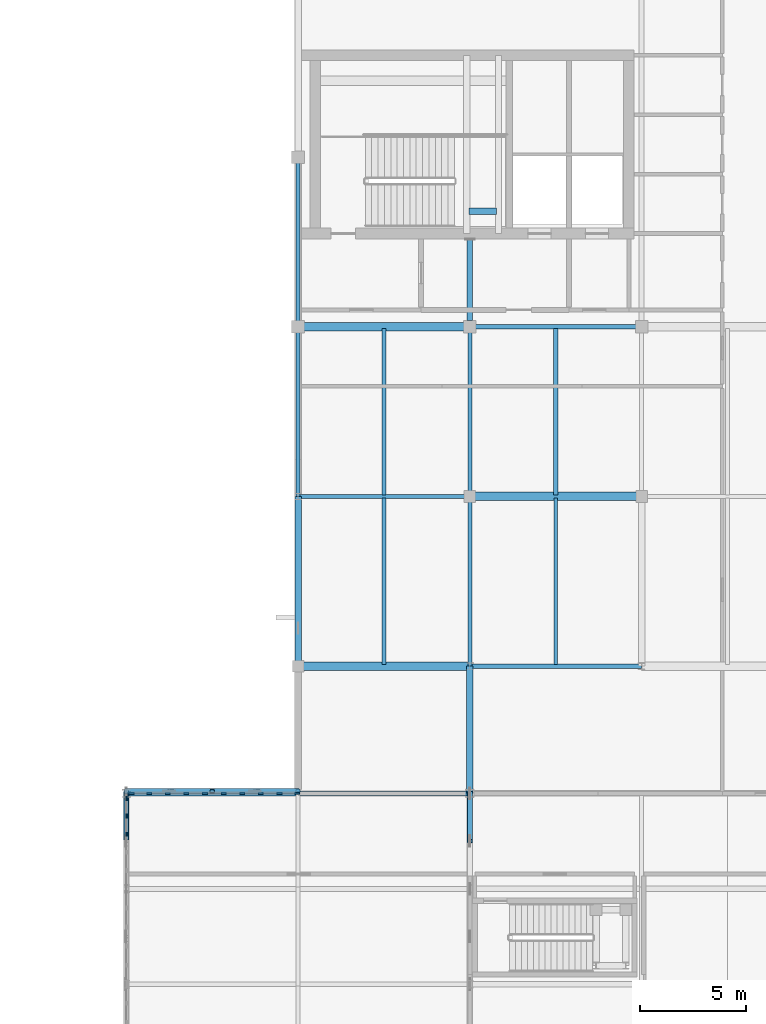
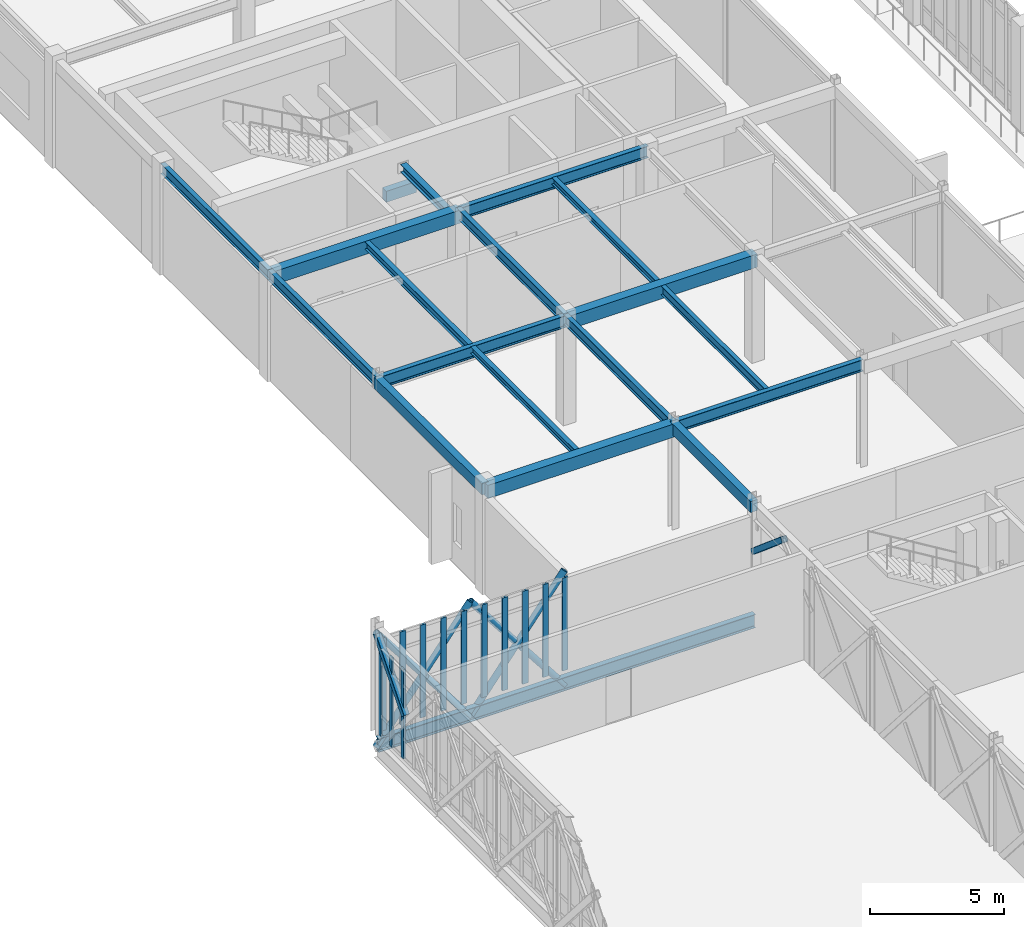
# One storey, part 21 of 107: 22 members, 18 beams, 2 elements without a shape of their own.
"""IFC4 building model written with IfcOpenShell, lengths in metres."""

from ifc_helpers import new_model, si_unit, direction, frame, origin, origin_2d, place, context, subcontext, project, spatial, rectangle, hollow_rectangle, hollow_circle, i_section, extrude, material, material_profile, profile_set, type_object, element, aggregate, save


model = new_model("IFC4")

# Units and contexts
model_context = context("Model", 3, precision=1e-05, world=origin(), true_north=direction((0.0, 1.0)))
body_context = subcontext(model_context, "Body", "Model", "MODEL_VIEW")
ifc_project = project(units=[si_unit("LENGTHUNIT", "METRE"), si_unit("AREAUNIT", "SQUARE_METRE"), si_unit("VOLUMEUNIT", "CUBIC_METRE"), si_unit("PLANEANGLEUNIT", "RADIAN"), si_unit("MASSUNIT", "GRAM", prefix="KILO")], contexts=[model_context])

# Site, building, storey
site_placement = place(None, origin())
site = spatial("IfcSite", under=ifc_project, at=site_placement, CompositionType="ELEMENT")
building_placement = place(site_placement, origin())
building = spatial("IfcBuilding", under=site, at=building_placement, Name="Tarnveldt Square Police Headquarters", CompositionType="ELEMENT")
storey_placement = place(building_placement, frame((0.0, 0.0, 14.699951171875)))
storey = spatial("IfcBuildingStorey", under=building, at=storey_placement, Name="L03", CompositionType="ELEMENT", Elevation=14.699951171875)

# Beams
ifc_material_1 = material(Name="Concrete 40 MPa", Category="concrete")
ifc_material_profile_1 = material_profile(ifc_material_1, rectangle(XDim=0.300048828125, YDim=0.5, at=origin_2d()), Name="RC-B300x500")
ifc_profile_set_1 = profile_set([ifc_material_profile_1], Name="Concrete 40 MPa")
beam_type_1 = type_object("IfcBeamType", Name="BM-RC300x500", PredefinedType="BEAM", material=ifc_profile_set_1)
beam_1_placement = place(storey_placement, frame((24.25, 61.449951171875, 2.10009765625), z_axis=(1.0, 0.0, 0.0), x_axis=(0.0, 1.0, 0.0)))
element("IfcBeam", 1, at=beam_1_placement, inside=storey, type_object=beam_type_1, Name="ST1 L03 Half-Landing Support Beam 2", PredefinedType="BEAM", context=body_context, shape_type="SweptSolid", body=[
    extrude(rectangle(XDim=0.300048828125, YDim=0.5, at=origin_2d()), origin(), (0.0, 0.0, 1.0), 1.300048828125),
])
beam_2_placement = place(storey_placement, frame((16.199951171875, 40.0, 4.590087890625), z_axis=(0.0, 1.0, 0.0), x_axis=(-1.0, 0.0, 0.0)))
element("IfcBeam", 2, at=beam_2_placement, inside=storey, type_object=beam_type_1, Name="L04 Grid Girder Y-0862", PredefinedType="BEAM", context=body_context, shape_type="SweptSolid", body=[
    extrude(rectangle(XDim=0.300048828125, YDim=0.5, at=origin_2d()), origin(), (0.0, 0.0, 1.0), 8.0),
])
beam_3_placement = place(storey_placement, frame((24.300048828125, 34.0, 4.590087890625), z_axis=(0.0, 1.0, 0.0), x_axis=(-1.0, 0.0, 0.0)))
element("IfcBeam", 3, at=beam_3_placement, inside=storey, type_object=beam_type_1, Name="L04 Grid Girder Y-0871", PredefinedType="BEAM", context=body_context, shape_type="SweptSolid", body=[
    extrude(rectangle(XDim=0.300048828125, YDim=0.5, at=origin_2d()), origin(), (0.0, 0.0, 1.0), 6.0),
])
ifc_material_profile_2 = material_profile(ifc_material_1, rectangle(XDim=0.39990234375, YDim=0.60009765625, at=origin_2d()), Name="RC-B400x600")
ifc_profile_set_2 = profile_set([ifc_material_profile_2], Name="Concrete 40 MPa")
beam_type_2 = type_object("IfcBeamType", Name="BM-RC400x600", PredefinedType="BEAM", material=ifc_profile_set_2)
beam_4_placement = place(storey_placement, frame((16.199951171875, 40.0, 4.5400390625), z_axis=(1.0, 0.0, 0.0), x_axis=(0.0, 1.0, 0.0)))
element("IfcBeam", 4, at=beam_4_placement, inside=storey, type_object=beam_type_2, Name="L04 Grid Girder X-0806", PredefinedType="BEAM", context=body_context, shape_type="SweptSolid", body=[
    extrude(rectangle(XDim=0.39990234375, YDim=0.60009765625, at=origin_2d()), origin(), (0.0, 0.0, 1.0), 8.10009765625),
])
beam_5_placement = place(storey_placement, frame((24.300048828125, 48.0, 4.5400390625), z_axis=(1.0, 0.0, 0.0), x_axis=(0.0, 1.0, 0.0)))
element("IfcBeam", 5, at=beam_5_placement, inside=storey, type_object=beam_type_2, Name="L04 Grid Girder X-0810", PredefinedType="BEAM", context=body_context, shape_type="SweptSolid", body=[
    extrude(rectangle(XDim=0.39990234375, YDim=0.60009765625, at=origin_2d()), origin(), (0.0, 0.0, 1.0), 8.099853515625),
])
beam_6_placement = place(storey_placement, frame((16.199951171875, 56.0, 4.5400390625), z_axis=(1.0, 0.0, 0.0), x_axis=(0.0, 1.0, 0.0)))
element("IfcBeam", 6, at=beam_6_placement, inside=storey, type_object=beam_type_2, Name="L04 Grid Girder X-0812", PredefinedType="BEAM", context=body_context, shape_type="SweptSolid", body=[
    extrude(rectangle(XDim=0.39990234375, YDim=0.60009765625, at=origin_2d()), origin(), (0.0, 0.0, 1.0), 8.10009765625),
])
ifc_material_2 = material(Name="Steel 350W", Category="steel")
ifc_material_profile_3 = material_profile(ifc_material_2, i_section(OverallWidth=0.202880859375, OverallDepth=0.302978515625, WebThickness=0.007568359375, FlangeThickness=0.01318359375, FilletRadius=0.014892578125, at=origin_2d()), Name="W310x60")
ifc_profile_set_3 = profile_set([ifc_material_profile_3], Name="Steel 350W")
beam_type_3 = type_object("IfcBeamType", Name="BM-W310x60", PredefinedType="JOIST", material=ifc_profile_set_3)
for number, where, z_axis, x_axis, name in (
    (7, (20.25, 40.080078125, 4.6884765625), (0.0, 1.0, 0.0), (-1.0, 0.0, 0.0), "L04 Secondary Floor Joist 0180"),
    (8, (28.35009765625, 48.080078125, 4.6884765625), (0.0, 1.0, 0.0), (-1.0, 0.0, 0.0), "L04 Secondary Floor Joist 0184"),
):
    element("IfcBeam", number, at=place(storey_placement, frame(where, z_axis=z_axis, x_axis=x_axis)), inside=storey, type_object=beam_type_3, Name=name, PredefinedType="JOIST", context=body_context, shape_type="SweptSolid", body=[
        extrude(i_section(OverallWidth=0.202880859375, OverallDepth=0.302978515625, WebThickness=0.007568359375, FlangeThickness=0.01318359375, FilletRadius=0.014892578125, at=origin_2d()), origin(), (0.0, 0.0, 1.0), 7.83984375),
    ])
ifc_material_profile_4 = material_profile(ifc_material_2, i_section(OverallWidth=0.202880859375, OverallDepth=0.346923828125, WebThickness=0.0078125, FlangeThickness=0.013427734375, FilletRadius=0.01611328125, at=origin_2d()), Name="W360x64")
ifc_profile_set_4 = profile_set([ifc_material_profile_4], Name="Steel 350W")
beam_type_4 = type_object("IfcBeamType", Name="BM-W360x64", PredefinedType="JOIST", material=ifc_profile_set_4)
beam_7_placement = place(storey_placement, frame((20.25, 48.080078125, 4.66650390625), z_axis=(0.0, 1.0, 0.0), x_axis=(-1.0, 0.0, 0.0)))
element("IfcBeam", 9, at=beam_7_placement, inside=storey, type_object=beam_type_4, Name="L04 Secondary Floor Joist 0183", PredefinedType="JOIST", context=body_context, shape_type="SweptSolid", body=[
    extrude(i_section(OverallWidth=0.202880859375, OverallDepth=0.346923828125, WebThickness=0.0078125, FlangeThickness=0.013427734375, FilletRadius=0.01611328125, at=origin_2d()), origin(), (0.0, 0.0, 1.0), 7.83984375),
])
ifc_material_profile_5 = material_profile(ifc_material_2, i_section(OverallWidth=0.177978515625, OverallDepth=0.406982421875, WebThickness=0.0078125, FlangeThickness=0.0126953125, FilletRadius=0.01611328125, at=origin_2d()), Name="W410x60")
ifc_profile_set_5 = profile_set([ifc_material_profile_5], Name="Steel 350W")
beam_type_5 = type_object("IfcBeamType", Name="BM-W410x60", PredefinedType="JOIST", material=ifc_profile_set_5)
beam_8_placement = place(storey_placement, frame((28.35009765625, 40.080078125, 4.636474609375), z_axis=(0.0, 1.0, 0.0), x_axis=(-1.0, 0.0, 0.0)))
element("IfcBeam", 10, at=beam_8_placement, inside=storey, type_object=beam_type_5, Name="L04 Secondary Floor Joist 0181", PredefinedType="JOIST", context=body_context, shape_type="SweptSolid", body=[
    extrude(i_section(OverallWidth=0.177978515625, OverallDepth=0.406982421875, WebThickness=0.0078125, FlangeThickness=0.0126953125, FilletRadius=0.01611328125, at=origin_2d()), origin(), (0.0, 0.0, 1.0), 7.83984375),
])
ifc_material_profile_6 = material_profile(ifc_material_2, i_section(OverallWidth=0.19189453125, OverallDepth=0.462890625, WebThickness=0.010498046875, FlangeThickness=0.017578125, FilletRadius=0.01806640625, at=origin_2d()), Name="W460x89")
ifc_profile_set_6 = profile_set([ifc_material_profile_6], Name="Steel 350W")
beam_type_6 = type_object("IfcBeamType", Name="BM-W460x89", PredefinedType="BEAM", material=ifc_profile_set_6)
for number, where, z_axis, x_axis, name in (
    (11, (16.199951171875, 48.0, 4.608642578125), (0.0, 1.0, 0.0), (-1.0, 0.0, 0.0), "L04 Grid Girder Y-0863"),
    (12, (16.199951171875, 56.0, 4.608642578125), (0.0, 1.0, 0.0), (-1.0, 0.0, 0.0), "L04 Grid Girder Y-0864"),
    (13, (24.300048828125, 40.0, 4.608642578125), (0.0, 1.0, 0.0), (-1.0, 0.0, 0.0), "L04 Grid Girder Y-0872"),
    (14, (24.300048828125, 48.0, 4.608642578125), (0.0, 1.0, 0.0), (-1.0, 0.0, 0.0), "L04 Grid Girder Y-0873"),
):
    element("IfcBeam", number, at=place(storey_placement, frame(where, z_axis=z_axis, x_axis=x_axis)), inside=storey, type_object=beam_type_6, Name=name, PredefinedType="BEAM", context=body_context, shape_type="SweptSolid", body=[
        extrude(i_section(OverallWidth=0.19189453125, OverallDepth=0.462890625, WebThickness=0.010498046875, FlangeThickness=0.017578125, FilletRadius=0.01806640625, at=origin_2d()), origin(), (0.0, 0.0, 1.0), 8.0),
    ])
ifc_material_profile_7 = material_profile(ifc_material_2, i_section(OverallWidth=0.208984375, OverallDepth=0.532958984375, WebThickness=0.01025390625, FlangeThickness=0.015625, FilletRadius=0.01904296875, at=origin_2d()), Name="W530x92")
ifc_profile_set_7 = profile_set([ifc_material_profile_7], Name="Steel 350W")
beam_type_7 = type_object("IfcBeamType", Name="BM-W530x92", PredefinedType="BEAM", material=ifc_profile_set_7)
beam_9_placement = place(storey_placement, frame((24.300048828125, 40.0, 4.573486328125), z_axis=(1.0, 0.0, 0.0), x_axis=(0.0, 1.0, 0.0)))
element("IfcBeam", 15, at=beam_9_placement, inside=storey, type_object=beam_type_7, Name="L04 Grid Girder X-0807", PredefinedType="BEAM", context=body_context, shape_type="SweptSolid", body=[
    extrude(i_section(OverallWidth=0.208984375, OverallDepth=0.532958984375, WebThickness=0.01025390625, FlangeThickness=0.015625, FilletRadius=0.01904296875, at=origin_2d()), origin(), (0.0, 0.0, 1.0), 8.099853515625),
])
beam_10_placement = place(storey_placement, frame((16.199951171875, 48.0, 4.573486328125), z_axis=(1.0, 0.0, 0.0), x_axis=(0.0, 1.0, 0.0)))
element("IfcBeam", 16, at=beam_10_placement, inside=storey, type_object=beam_type_7, Name="L04 Grid Girder X-0809", PredefinedType="BEAM", context=body_context, shape_type="SweptSolid", body=[
    extrude(i_section(OverallWidth=0.208984375, OverallDepth=0.532958984375, WebThickness=0.01025390625, FlangeThickness=0.015625, FilletRadius=0.01904296875, at=origin_2d()), origin(), (0.0, 0.0, 1.0), 8.10009765625),
])
beam_11_placement = place(storey_placement, frame((24.300048828125, 56.0, 4.573486328125), z_axis=(1.0, 0.0, 0.0), x_axis=(0.0, 1.0, 0.0)))
element("IfcBeam", 17, at=beam_11_placement, inside=storey, type_object=beam_type_7, Name="L04 Grid Girder X-0813", PredefinedType="BEAM", context=body_context, shape_type="SweptSolid", body=[
    extrude(i_section(OverallWidth=0.208984375, OverallDepth=0.532958984375, WebThickness=0.01025390625, FlangeThickness=0.015625, FilletRadius=0.01904296875, at=origin_2d()), origin(), (0.0, 0.0, 1.0), 8.099853515625),
])
ifc_material_profile_8 = material_profile(ifc_material_2, i_section(OverallWidth=0.22900390625, OverallDepth=0.612060546875, WebThickness=0.011962890625, FlangeThickness=0.01953125, FilletRadius=0.01904296875, at=origin_2d()), Name="W610x125")
ifc_profile_set_8 = profile_set([ifc_material_profile_8], Name="Steel 350W")
beam_type_8 = type_object("IfcBeamType", Name="BM-W610x125", PredefinedType="BEAM", material=ifc_profile_set_8)
beam_12_placement = place(storey_placement, frame((8.10009765625, 34.0, -0.56591796875), z_axis=(1.0, 0.0, 0.0), x_axis=(0.0, 1.0, 0.0)))
element("IfcBeam", 18, at=beam_12_placement, inside=storey, type_object=beam_type_8, Name="Command Lantern L03 Transverse Girder 1.0", PredefinedType="BEAM", context=body_context, shape_type="SweptSolid", body=[
    extrude(i_section(OverallWidth=0.22900390625, OverallDepth=0.612060546875, WebThickness=0.011962890625, FlangeThickness=0.01953125, FilletRadius=0.01904296875, at=origin_2d()), origin(), (0.0, 0.0, 1.0), 16.199951171875),
])

# Curtain wall, members
ifc_material_3 = material(Name="Triple-glazed low-e laminated vision glass", Category="glass")
curtain_wall_type_1 = type_object("IfcCurtainWallType", Name="CW-LT-430x407", PredefinedType="USERDEFINED", material=ifc_material_3)
curtain_wall_1_placement = place(storey_placement, origin())
curtain_wall_1 = element("IfcCurtainWall", 19, at=curtain_wall_1_placement, inside=storey, type_object=curtain_wall_type_1, Name="L03 Curtain Wall CW-L03-036", ObjectType="GLAZED CURTAIN WALL", PredefinedType="USERDEFINED")
ifc_material_4 = material(Name="Thermally broken anodised aluminium 6063-T6", Category="aluminium")
ifc_material_profile_9 = material_profile(ifc_material_4, rectangle(XDim=0.074951171875, YDim=0.199951171875, at=origin_2d()), Name="CW-M75x200")
ifc_profile_set_9 = profile_set([ifc_material_profile_9], Name="Thermally broken anodised aluminium 6063-T6")
member_type_1 = type_object("IfcMemberType", Name="CWM-75x200", PredefinedType="MULLION", material=ifc_profile_set_9)
member_1_placement = place(storey_placement, frame((8.10009765625, 32.078857421875, 0.0), z_axis=(0.0, 0.0, 1.0), x_axis=(-1.0, 0.0, 0.0)))
member_1 = element("IfcMember", 20, at=member_1_placement, type_object=member_type_1, Name="CW-LT15 mullion 4", PredefinedType="MULLION", context=body_context, shape_type="SweptSolid", body=[
    extrude(rectangle(XDim=0.074951171875, YDim=0.199951171875, at=origin_2d()), origin(), (0.0, 0.0, 1.0), 4.066162109375),
])
member_2_placement = place(storey_placement, frame((8.10009765625, 32.9384765625, 0.0), z_axis=(0.0, 0.0, 1.0), x_axis=(-1.0, 0.0, 0.0)))
member_2 = element("IfcMember", 21, at=member_2_placement, type_object=member_type_1, Name="CW-LT15 mullion 5", PredefinedType="MULLION", context=body_context, shape_type="SweptSolid", body=[
    extrude(rectangle(XDim=0.074951171875, YDim=0.199951171875, at=origin_2d()), origin(), (0.0, 0.0, 1.0), 4.066162109375),
])
member_3_placement = place(storey_placement, frame((8.10009765625, 33.760498046875, 0.0), z_axis=(0.0, 0.0, 1.0), x_axis=(-1.0, 0.0, 0.0)))
member_3 = element("IfcMember", 22, at=member_3_placement, type_object=member_type_1, Name="CW-LT15 mullion 6", PredefinedType="MULLION", context=body_context, shape_type="SweptSolid", body=[
    extrude(rectangle(XDim=0.074951171875, YDim=0.199951171875, at=origin_2d()), origin(), (0.0, 0.0, 1.0), 4.066162109375),
])
aggregate(curtain_wall_1, [member_1, member_2, member_3])

ifc_material_5 = material(Name="UL 752 Level III laminated ballistic vision glass", Category="glass")
curtain_wall_type_2 = type_object("IfcCurtainWallType", Name="CW-BL-790x422", PredefinedType="USERDEFINED", material=ifc_material_5)
curtain_wall_2_placement = place(storey_placement, origin())
curtain_wall_2 = element("IfcCurtainWall", 23, at=curtain_wall_2_placement, inside=storey, type_object=curtain_wall_type_2, Name="L03 Curtain Wall CW-L03-030", ObjectType="BALLISTIC CURTAIN WALL", PredefinedType="USERDEFINED")
ifc_material_profile_10 = material_profile(ifc_material_4, rectangle(XDim=0.0849609375, YDim=0.239990234375, at=origin_2d()), Name="CW-M85x240")
ifc_profile_set_10 = profile_set([ifc_material_profile_10], Name="Thermally broken anodised aluminium 6063-T6")
member_type_2 = type_object("IfcMemberType", Name="CWM-85x240", PredefinedType="MULLION", material=ifc_profile_set_10)
member_4_placement = place(storey_placement, frame((8.344482421875, 34.0, 0.0), z_axis=(0.0, 0.0, 1.0), x_axis=(0.0, 1.0, 0.0)))
member_4 = element("IfcMember", 24, at=member_4_placement, type_object=member_type_2, Name="CW-BL14 mullion 1", PredefinedType="MULLION", context=body_context, shape_type="SweptSolid", body=[
    extrude(rectangle(XDim=0.0849609375, YDim=0.239990234375, at=origin_2d()), origin(), (0.0, 0.0, 1.0), 4.219970703125),
])
member_5_placement = place(storey_placement, frame((9.179443359375, 34.0, 0.0), z_axis=(0.0, 0.0, 1.0), x_axis=(0.0, 1.0, 0.0)))
member_5 = element("IfcMember", 25, at=member_5_placement, type_object=member_type_2, Name="CW-BL14 mullion 2", PredefinedType="MULLION", context=body_context, shape_type="SweptSolid", body=[
    extrude(rectangle(XDim=0.0849609375, YDim=0.239990234375, at=origin_2d()), origin(), (0.0, 0.0, 1.0), 4.219970703125),
])
member_6_placement = place(storey_placement, frame((10.05712890625, 34.0, 0.0), z_axis=(0.0, 0.0, 1.0), x_axis=(0.0, 1.0, 0.0)))
member_6 = element("IfcMember", 26, at=member_6_placement, type_object=member_type_2, Name="CW-BL14 mullion 3", PredefinedType="MULLION", context=body_context, shape_type="SweptSolid", body=[
    extrude(rectangle(XDim=0.0849609375, YDim=0.239990234375, at=origin_2d()), origin(), (0.0, 0.0, 1.0), 4.219970703125),
])
member_7_placement = place(storey_placement, frame((10.9345703125, 34.0, 0.0), z_axis=(0.0, 0.0, 1.0), x_axis=(0.0, 1.0, 0.0)))
member_7 = element("IfcMember", 27, at=member_7_placement, type_object=member_type_2, Name="CW-BL14 mullion 4", PredefinedType="MULLION", context=body_context, shape_type="SweptSolid", body=[
    extrude(rectangle(XDim=0.0849609375, YDim=0.239990234375, at=origin_2d()), origin(), (0.0, 0.0, 1.0), 4.219970703125),
])
member_8_placement = place(storey_placement, frame((11.812255859375, 34.0, 0.0), z_axis=(0.0, 0.0, 1.0), x_axis=(0.0, 1.0, 0.0)))
member_8 = element("IfcMember", 28, at=member_8_placement, type_object=member_type_2, Name="CW-BL14 mullion 5", PredefinedType="MULLION", context=body_context, shape_type="SweptSolid", body=[
    extrude(rectangle(XDim=0.0849609375, YDim=0.239990234375, at=origin_2d()), origin(), (0.0, 0.0, 1.0), 4.219970703125),
])
member_9_placement = place(storey_placement, frame((12.689697265625, 34.0, 0.0), z_axis=(0.0, 0.0, 1.0), x_axis=(0.0, 1.0, 0.0)))
member_9 = element("IfcMember", 29, at=member_9_placement, type_object=member_type_2, Name="CW-BL14 mullion 6", PredefinedType="MULLION", context=body_context, shape_type="SweptSolid", body=[
    extrude(rectangle(XDim=0.0849609375, YDim=0.239990234375, at=origin_2d()), origin(), (0.0, 0.0, 1.0), 4.219970703125),
])
member_10_placement = place(storey_placement, frame((13.5673828125, 34.0, 0.0), z_axis=(0.0, 0.0, 1.0), x_axis=(0.0, 1.0, 0.0)))
member_10 = element("IfcMember", 30, at=member_10_placement, type_object=member_type_2, Name="CW-BL14 mullion 7", PredefinedType="MULLION", context=body_context, shape_type="SweptSolid", body=[
    extrude(rectangle(XDim=0.0849609375, YDim=0.239990234375, at=origin_2d()), origin(), (0.0, 0.0, 1.0), 4.219970703125),
])
member_11_placement = place(storey_placement, frame((14.44482421875, 34.0, 0.0), z_axis=(0.0, 0.0, 1.0), x_axis=(0.0, 1.0, 0.0)))
member_11 = element("IfcMember", 31, at=member_11_placement, type_object=member_type_2, Name="CW-BL14 mullion 8", PredefinedType="MULLION", context=body_context, shape_type="SweptSolid", body=[
    extrude(rectangle(XDim=0.0849609375, YDim=0.239990234375, at=origin_2d()), origin(), (0.0, 0.0, 1.0), 4.219970703125),
])
member_12_placement = place(storey_placement, frame((15.322509765625, 34.0, 0.0), z_axis=(0.0, 0.0, 1.0), x_axis=(0.0, 1.0, 0.0)))
member_12 = element("IfcMember", 32, at=member_12_placement, type_object=member_type_2, Name="CW-BL14 mullion 9", PredefinedType="MULLION", context=body_context, shape_type="SweptSolid", body=[
    extrude(rectangle(XDim=0.0849609375, YDim=0.239990234375, at=origin_2d()), origin(), (0.0, 0.0, 1.0), 4.219970703125),
])
member_13_placement = place(storey_placement, frame((16.157470703125, 34.0, 0.0), z_axis=(0.0, 0.0, 1.0), x_axis=(0.0, 1.0, 0.0)))
member_13 = element("IfcMember", 33, at=member_13_placement, type_object=member_type_2, Name="CW-BL14 mullion 10", PredefinedType="MULLION", context=body_context, shape_type="SweptSolid", body=[
    extrude(rectangle(XDim=0.0849609375, YDim=0.239990234375, at=origin_2d()), origin(), (0.0, 0.0, 1.0), 4.219970703125),
])
aggregate(curtain_wall_2, [member_4, member_5, member_6, member_7, member_8, member_9, member_10, member_11, member_12, member_13])

# Members
ifc_material_profile_11 = material_profile(ifc_material_2, i_section(OverallWidth=0.257080078125, OverallDepth=0.363037109375, WebThickness=0.012939453125, FlangeThickness=0.021728515625, FilletRadius=0.01611328125, at=origin_2d()), Name="W360x122")
ifc_profile_set_11 = profile_set([ifc_material_profile_11], Name="Steel 350W")
member_type_3 = type_object("IfcMemberType", Name="MEM-CT-POST", PredefinedType="STRUT", material=ifc_profile_set_11)
member_14_placement = place(storey_placement, frame((24.300048828125, 56.300048828125, 4.150146484375), z_axis=(0.0, 1.0, 0.0), x_axis=(-1.0, 0.0, 0.0)))
element("IfcMember", 34, at=member_14_placement, inside=storey, type_object=member_type_3, Name="Cantilever Collector Strut CTP1 to Core K1 L03.1", PredefinedType="STRUT", context=body_context, shape_type="SweptSolid", body=[
    extrude(i_section(OverallWidth=0.257080078125, OverallDepth=0.363037109375, WebThickness=0.012939453125, FlangeThickness=0.021728515625, FilletRadius=0.01611328125, at=origin_2d()), origin(), (0.0, 0.0, 1.0), 3.81201171875),
])
ifc_material_profile_12 = material_profile(ifc_material_2, hollow_rectangle(XDim=0.25390625, YDim=0.25390625, WallThickness=0.0126953125, InnerFilletRadius=0.0126953125, OuterFilletRadius=0.025390625, at=origin_2d()), Name="HSS254x254x13")
ifc_profile_set_12 = profile_set([ifc_material_profile_12], Name="Steel 350W")
member_type_4 = type_object("IfcMemberType", Name="MEM-CT-WEB2", PredefinedType="BRACE", material=ifc_profile_set_12)
member_15_placement = place(storey_placement, frame((8.10009765625, 31.89404296875, 2.0234375), z_axis=(0.0, 0.654370071154, 0.756174457369), x_axis=(-1.0, 0.0, 0.0)))
element("IfcMember", 35, at=member_15_placement, inside=storey, type_object=member_type_4, Name="Cantilever Truss CT-1 L03 Web B1 Upper", PredefinedType="BRACE", context=body_context, shape_type="SweptSolid", body=[
    extrude(hollow_rectangle(XDim=0.25390625, YDim=0.25390625, WallThickness=0.0126953125, InnerFilletRadius=0.0126953125, OuterFilletRadius=0.025390625, at=origin_2d()), origin(), (0.0, 0.0, 1.0), 3.21826171875),
])
member_16_placement = place(storey_placement, frame((24.300048828125, 34.0, 2.550048828125), z_axis=(0.0, -0.762861692036, 0.646561705349), x_axis=(1.0, 0.0, 0.0)))
element("IfcMember", 36, at=member_16_placement, inside=storey, type_object=member_type_4, Name="Cantilever Truss CT-2 L03 Portal Brace A1", PredefinedType="BRACE", context=body_context, shape_type="SweptSolid", body=[
    extrude(hollow_rectangle(XDim=0.25390625, YDim=0.25390625, WallThickness=0.0126953125, InnerFilletRadius=0.0126953125, OuterFilletRadius=0.025390625, at=origin_2d()), origin(), (0.0, 0.0, 1.0), 2.949462890625),
])
ifc_material_profile_13 = material_profile(ifc_material_2, hollow_circle(Radius=0.136474609375, WallThickness=0.0126953125, at=origin_2d()), Name="HSS273x13")
ifc_profile_set_13 = profile_set([ifc_material_profile_13], Name="Steel 350W")
member_type_5 = type_object("IfcMemberType", Name="MEM-LT-DIAG1", PredefinedType="BRACE", material=ifc_profile_set_13)
member_17_placement = place(storey_placement, frame((8.10009765625, 34.10009765625, -0.742919921875), z_axis=(0.614450808426, 0.0, 0.788955134354), x_axis=(0.0, 1.0, 0.0)))
element("IfcMember", 37, at=member_17_placement, inside=storey, type_object=member_type_5, Name="Command Lantern N Steel Lattice Brace 1.1A", PredefinedType="BRACE", context=body_context, shape_type="SweptSolid", body=[
    extrude(hollow_circle(Radius=0.136474609375, WallThickness=0.0126953125, at=origin_2d()), origin(), (0.0, 0.0, 1.0), 6.5908203125),
])
for number, where, z_axis, x_axis, name in (
    (38, (12.14990234375, 34.10009765625, -0.742919921875), (-0.614475574544, 0.0, 0.788935845484), (0.0, -1.0, 0.0), "Command Lantern N Steel Lattice Brace 1.1B Lower"),
    (39, (10.002197265625, 34.10009765625, 2.014892578125), (-0.614475574544, 0.0, 0.788935845484), (0.0, -1.0, 0.0), "Command Lantern N Steel Lattice Brace 1.1B Upper"),
):
    element("IfcMember", number, at=place(storey_placement, frame(where, z_axis=z_axis, x_axis=x_axis)), inside=storey, type_object=member_type_5, Name=name, PredefinedType="BRACE", context=body_context, shape_type="SweptSolid", body=[
        extrude(hollow_circle(Radius=0.136474609375, WallThickness=0.0126953125, at=origin_2d()), origin(), (0.0, 0.0, 1.0), 3.095458984375),
    ])
member_18_placement = place(storey_placement, frame((12.14990234375, 34.10009765625, -0.742919921875), z_axis=(0.614473864369, 0.0, 0.788937177478), x_axis=(0.0, 1.0, 0.0)))
element("IfcMember", 40, at=member_18_placement, inside=storey, type_object=member_type_5, Name="Command Lantern N Steel Lattice Brace 1.2A", PredefinedType="BRACE", context=body_context, shape_type="SweptSolid", body=[
    extrude(hollow_circle(Radius=0.136474609375, WallThickness=0.0126953125, at=origin_2d()), origin(), (0.0, 0.0, 1.0), 6.591064453125),
])
for number, where, z_axis, x_axis, name in (
    (41, (16.199951171875, 34.10009765625, -0.742919921875), (-0.614475574544, 0.0, 0.788935845484), (0.0, -1.0, 0.0), "Command Lantern N Steel Lattice Brace 1.2B Lower"),
    (42, (14.052001953125, 34.10009765625, 2.014892578125), (-0.614475574544, 0.0, 0.788935845484), (0.0, -1.0, 0.0), "Command Lantern N Steel Lattice Brace 1.2B Upper"),
):
    element("IfcMember", number, at=place(storey_placement, frame(where, z_axis=z_axis, x_axis=x_axis)), inside=storey, type_object=member_type_5, Name=name, PredefinedType="BRACE", context=body_context, shape_type="SweptSolid", body=[
        extrude(hollow_circle(Radius=0.136474609375, WallThickness=0.0126953125, at=origin_2d()), origin(), (0.0, 0.0, 1.0), 3.095458984375),
    ])

save(model, "model.ifc")
